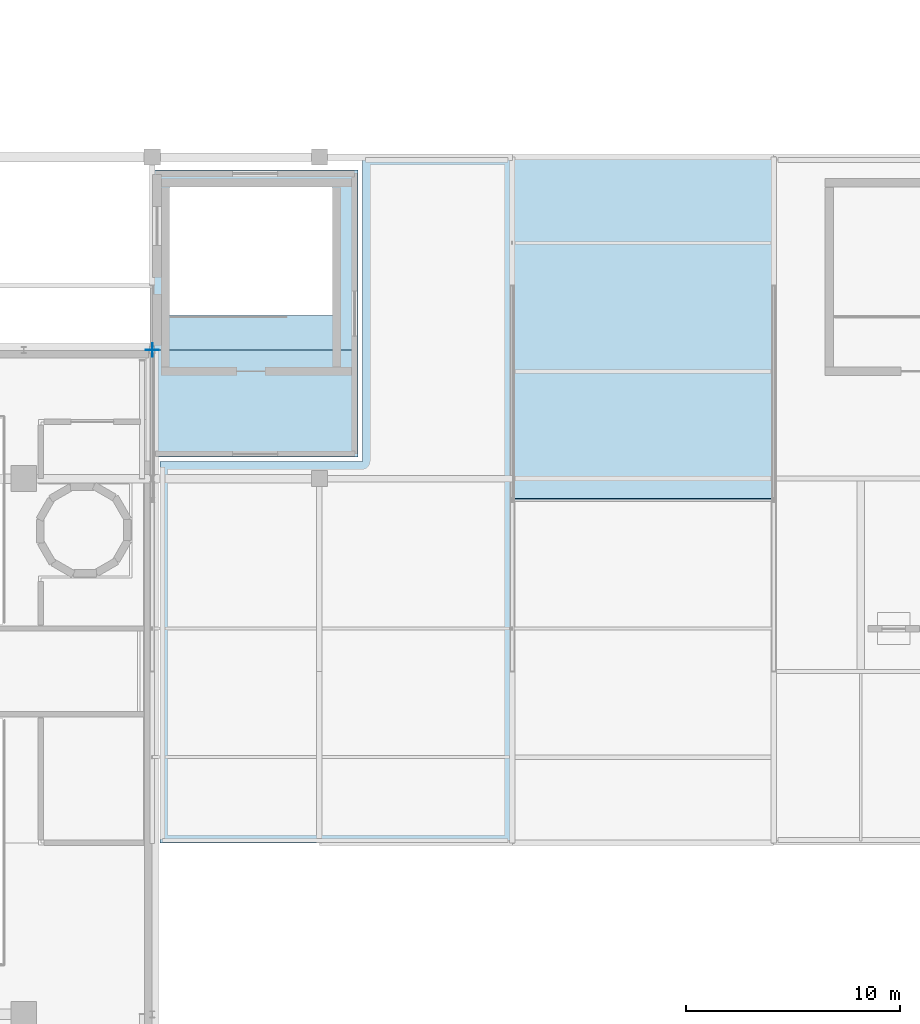
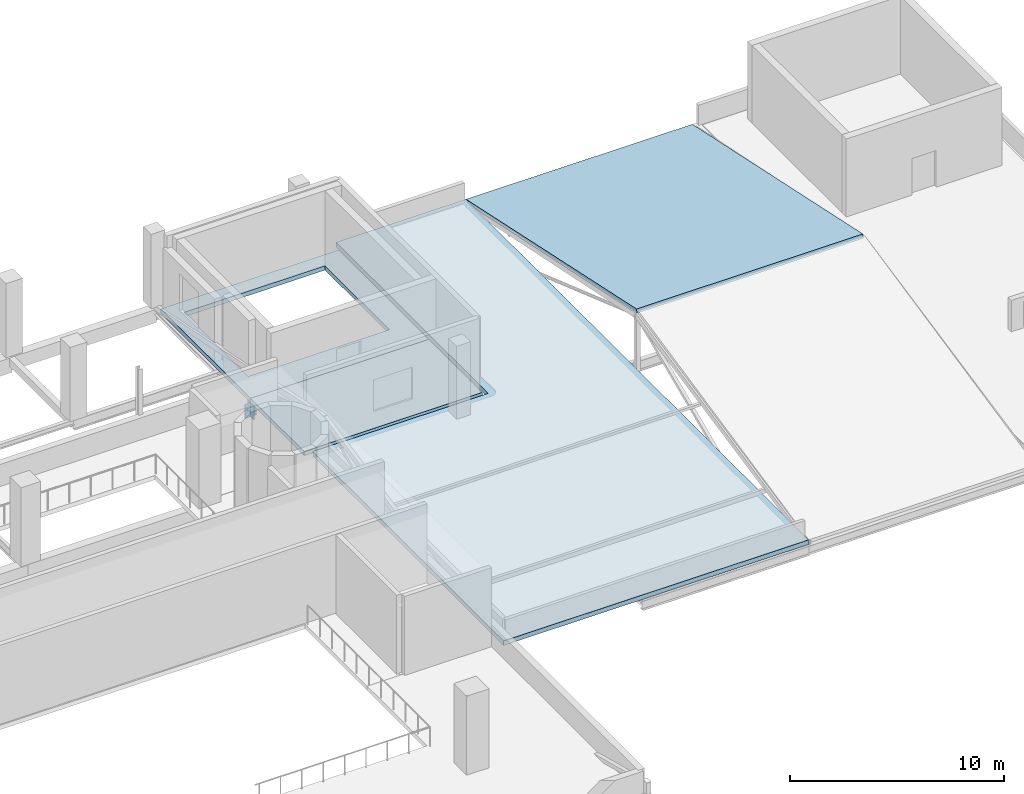
# One storey, part 58 of 85: 4 slabs, 2 plates.
"""IFC4 building model written with IfcOpenShell, lengths in metres."""

from ifc_helpers import new_model, si_unit, derived_unit, direction, frame, origin, origin_2d, place, context, subcontext, project, spatial, polyline, rectangle, outline, extrude, material, layer, layer_set, type_object, element, save


model = new_model("IFC4")

# Units and contexts
model_context = context("Model", 3, precision=1e-05, world=origin(), true_north=direction((0.0, 1.0)))
body_context = subcontext(model_context, "Body", "Model", "MODEL_VIEW")
ifc_project = project(units=[si_unit("LENGTHUNIT", "METRE"), si_unit("AREAUNIT", "SQUARE_METRE"), si_unit("VOLUMEUNIT", "CUBIC_METRE"), si_unit("PLANEANGLEUNIT", "RADIAN"), si_unit("MASSUNIT", "GRAM", prefix="KILO"), derived_unit("THERMALTRANSMITTANCEUNIT", [(si_unit("POWERUNIT", "WATT"), 1), (si_unit("LENGTHUNIT", "METRE"), -2), (si_unit("THERMODYNAMICTEMPERATUREUNIT", "KELVIN"), -1)])], contexts=[model_context])

# Site, building, storey
site_placement = place(None, origin())
site = spatial("IfcSite", under=ifc_project, at=site_placement, CompositionType="ELEMENT")
building_placement = place(site_placement, origin())
building = spatial("IfcBuilding", under=site, at=building_placement, Name="Nallur Shell Playhouse", CompositionType="ELEMENT")
storey_placement = place(building_placement, frame((0.0, 0.0, 19.800048828125)))
storey = spatial("IfcBuildingStorey", under=building, at=storey_placement, Name="L05", CompositionType="ELEMENT", Elevation=19.800048828125)

# Plates
ifc_material_1 = material(Name="Steel E350", Category="steel")
ifc_layer_1 = layer(ifc_material_1, 0.02001953125)
ifc_layer_set_1 = layer_set([ifc_layer_1], Name="Steel E350")
plate_type = type_object("IfcPlateType", Name="PT-ENDCAP-20", PredefinedType="SHEET", material=ifc_layer_set_1)
plate_1_placement = place(storey_placement, frame((118.610107421875, 47.0, -1.06005859375), z_axis=(0.0, 0.0, 1.0), x_axis=(1.0, 0.0, 0.0)))
element("IfcPlate", 1, at=plate_1_placement, inside=storey, type_object=plate_type, Name="Hollow end cap EC-GB-L05-NB", PredefinedType="SHEET", context=body_context, shape_type="SweptSolid", body=[
    extrude(rectangle(XDim=0.02001953125, YDim=0.6201171875, at=origin_2d()), origin(), (0.0, 0.0, 1.0), 0.820068359375),
])
plate_2_placement = place(storey_placement, frame((118.60009765625, 47.010009765625, -1.06005859375), z_axis=(0.0, 0.0, 1.0), x_axis=(1.0, 0.0, 0.0)))
element("IfcPlate", 2, at=plate_2_placement, inside=storey, type_object=plate_type, Name="Hollow end cap EC-GB-L05-EB", PredefinedType="SHEET", context=body_context, shape_type="SweptSolid", body=[
    extrude(rectangle(XDim=0.6201171875, YDim=0.02001953125, at=origin_2d()), origin(), (0.0, 0.0, 1.0), 0.820068359375),
])

# Slabs
ifc_material_2 = material(Name="Concrete M35", Category="concrete")
ifc_layer_2 = layer(ifc_material_2, 0.219970703125)
ifc_layer_set_2 = layer_set([ifc_layer_2], Name="Concrete M35")
slab_type_1 = type_object("IfcSlabType", Name="SL-FLATROOF-220", PredefinedType="ROOF", material=ifc_layer_set_2)
slab_1_placement = place(storey_placement, frame((135.39990234375, 40.080078125, 3.40087890625), z_axis=(0.0, 0.208910432257, 0.977934778651), x_axis=(1.0, 0.0, 0.0)))
element("IfcSlab", 3, at=slab_1_placement, inside=storey, type_object=slab_type_1, Name="Studio Pavilion 12-deg north roof facet 1", PredefinedType="ROOF", context=body_context, shape_type="SweptSolid", body=[
    extrude(outline(polyline([(0.0, 0.0), (12.2001953125, 0.0), (12.2001953125, 16.279124357319706), (0.0, 16.279124357319706), (0.0, 0.0)])), origin(), (0.0, 0.0, -1.0), 0.219970703125),
])
ifc_material_3 = material(Name="Concrete M30", Category="concrete")
ifc_layer_3 = layer(ifc_material_3, 0.260009765625)
ifc_layer_set_3 = layer_set([ifc_layer_3], Name="Concrete M30")
slab_type_2 = type_object("IfcSlabType", Name="SL-FLOOR-260", PredefinedType="FLOOR", material=ifc_layer_set_3)
slab_2_placement = place(storey_placement, frame((0.0, 0.0, -0.260009765625)))
element("IfcSlab", 4, at=slab_2_placement, inside=storey, type_object=slab_type_2, Name="L05 West Studio & JC-2 Core roof slab", PredefinedType="ROOF", context=body_context, shape_type="SweptSolid", body=[
    extrude(outline(polyline([(135.39990234375, 24.0), (118.949951171875, 24.0), (118.949951171875, 41.800048828125), (128.39990234375, 41.800048828125), (128.39990234375, 56.0), (135.39990234375, 56.0), (135.39990234375, 41.800048828125), (135.39990234375, 24.0)])), origin(), (0.0, 0.0, 1.0), 0.260009765625),
])
ifc_layer_4 = layer(ifc_material_3, 0.25)
ifc_layer_set_4 = layer_set([ifc_layer_4], Name="Concrete M30")
slab_type_3 = type_object("IfcSlabType", Name="SL-UPPER-250", PredefinedType="FLOOR", material=ifc_layer_set_4)
slab_3_placement = place(storey_placement, frame((0.0, 0.0, -0.25)))
element("IfcSlab", 5, at=slab_3_placement, inside=storey, type_object=slab_type_3, Name="L05 structural floor slab panel 15", PredefinedType="FLOOR", context=body_context, shape_type="SweptSolid", body=[
    extrude(outline(polyline([(128.199951171875, 42.0), (118.60009765625, 42.0), (118.60009765625, 47.0), (128.199951171875, 47.0), (128.199951171875, 42.0)])), origin(), (0.0, 0.0, 1.0), 0.25),
])
slab_4_placement = place(storey_placement, frame((0.0, 0.0, -0.25)))
element("IfcSlab", 6, at=slab_4_placement, inside=storey, type_object=slab_type_3, Name="L05 structural floor slab panel 16", PredefinedType="FLOOR", context=body_context, shape_type="SweptSolid", body=[
    extrude(outline(polyline([(118.60009765625, 55.39990234375), (128.199951171875, 55.39990234375), (128.199951171875, 47.0), (118.60009765625, 47.0), (118.60009765625, 55.39990234375)]), holes=[polyline([(127.0, 54.60009765625), (119.39990234375, 54.60009765625), (119.39990234375, 48.60009765625), (127.0, 48.60009765625), (127.0, 54.60009765625)])]), origin(), (0.0, 0.0, 1.0), 0.25),
])

save(model, "model.ifc")
